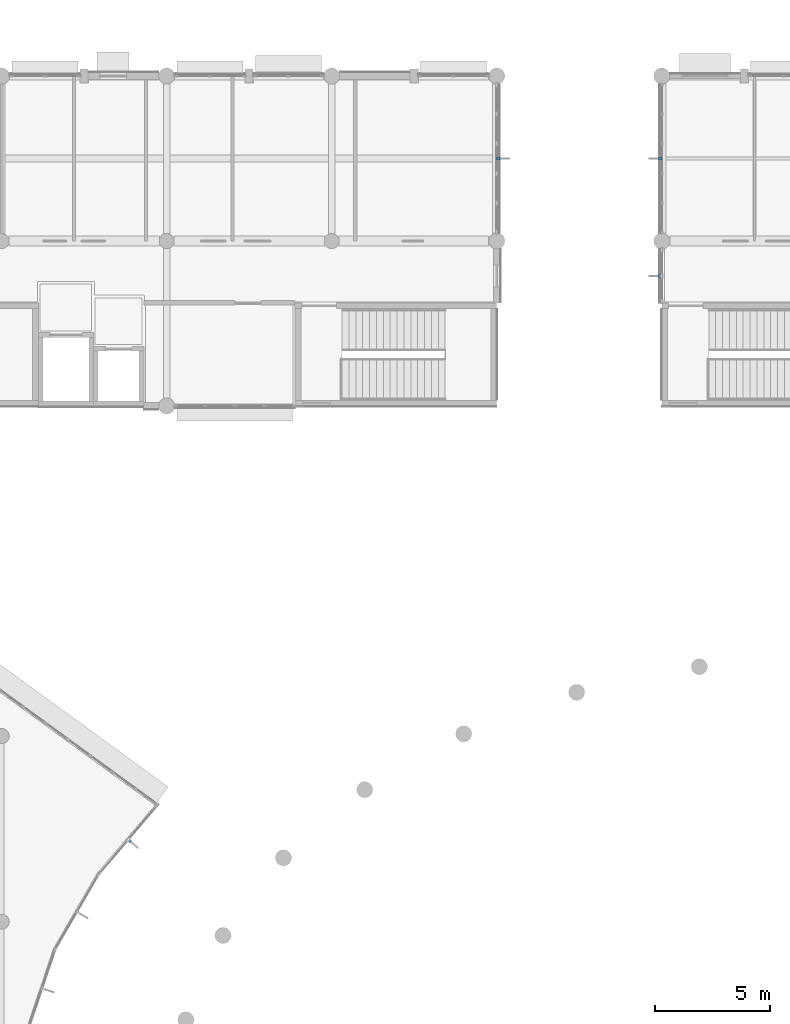
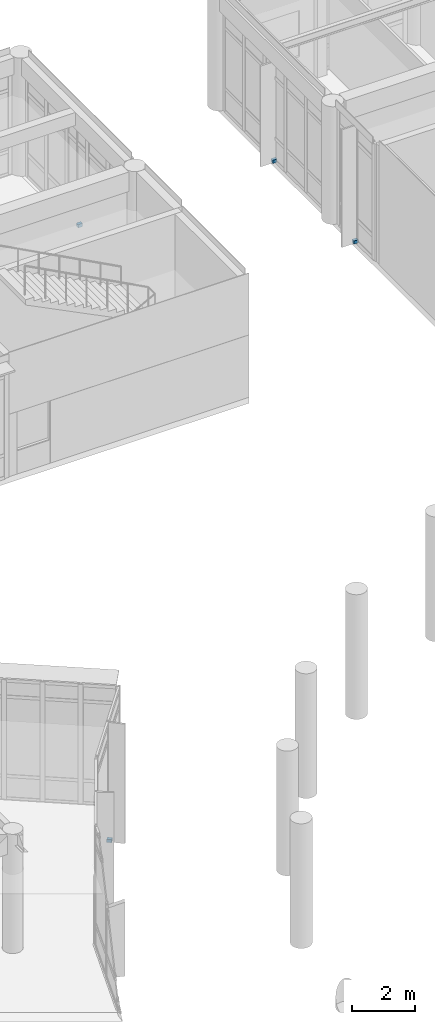
# One storey, part 61 of 92: 4 discrete accessories.
"""IFC4 building model written with IfcOpenShell, lengths in metres."""

import ifcopenshell
import ifcopenshell.guid

model = None  # the IFC model being written
_history = None  # IfcOwnerHistory: only IFC2X3 demands one
_inside = {}  # id of a spatial element -> (the spatial element, [elements in it])
_under = {}  # id of a project, library or spatial element -> (it, [spatial elements below it])
_declared = {}  # id of a project -> (the project, [libraries it declares])
_typed = {}  # id of a type object -> (the type object, [elements of that type])
_made_of = {}  # id of a material, layer set ... -> (it, [elements and type objects made of it])


def new_model(schema):
    """Start an empty IFC model of exactly this schema.

    Asked for "IFC4X3", IfcOpenShell would pick the latest addendum, in which some entities
    have other attributes; the version numbers below select the first issue.
    IFC2X3 requires an IfcOwnerHistory on every rooted entity: one is made here for all.
    """
    global model, _history
    if schema == "IFC4X3":
        model = ifcopenshell.file(schema_version=(4, 3, 0, 0))
    else:
        model = ifcopenshell.file(schema=schema)
    _inside.clear()
    _under.clear()
    _declared.clear()
    _typed.clear()
    _made_of.clear()
    _history = None
    if model.schema == "IFC2X3":
        org = make("IfcOrganization", Name="unknown")
        user = make(
            "IfcPersonAndOrganization",
            ThePerson=make("IfcPerson", FamilyName="unknown"),
            TheOrganization=org,
        )
        app = make(
            "IfcApplication",
            ApplicationDeveloper=org,
            Version="unknown",
            ApplicationFullName="unknown",
            ApplicationIdentifier="unknown",
        )
        _history = make(
            "IfcOwnerHistory",
            OwningUser=user,
            OwningApplication=app,
            ChangeAction="ADDED",
            CreationDate=0,
        )
    return model


def make(cls, **values):
    """One entity of the class cls with the attributes given. An attribute that is None is left unset."""
    return model.create_entity(
        cls, **{name: value for name, value in values.items() if value is not None}
    )


def rooted(cls, **values):
    """An entity with a GlobalId (a new one), such as an element, a storey or a relation."""
    return make(cls, GlobalId=ifcopenshell.guid.new(), OwnerHistory=_history, **values)


def si_unit(unit_type, name, prefix=None):
    """IfcSIUnit, for example si_unit("LENGTHUNIT", "METRE", prefix="MILLI")."""
    return make("IfcSIUnit", UnitType=unit_type, Prefix=prefix, Name=name)


def assignment(units):
    """IfcUnitAssignment: the units of a project."""
    return None if units is None else make("IfcUnitAssignment", Units=units)


def point(xyz):
    """IfcCartesianPoint."""
    return None if xyz is None else make("IfcCartesianPoint", Coordinates=xyz)


def direction(xyz):
    """IfcDirection."""
    return None if xyz is None else make("IfcDirection", DirectionRatios=xyz)


def frame(location, z_axis=None, x_axis=None):
    """IfcAxis2Placement3D, a coordinate frame: its origin and axes. An axis left out is left unset."""
    return make(
        "IfcAxis2Placement3D",
        Location=point(location),
        Axis=direction(z_axis),
        RefDirection=direction(x_axis),
    )


def frame_2d(location, x_axis=None):
    """IfcAxis2Placement2D, a coordinate frame in the plane: its origin and x axis."""
    return make(
        "IfcAxis2Placement2D", Location=point(location), RefDirection=direction(x_axis)
    )


def origin():
    """The frame at (0, 0, 0) with its axes left unset."""
    return frame((0.0, 0.0, 0.0))


def origin_2d():
    """The frame at (0, 0) in the plane with its x axis left unset."""
    return frame_2d((0.0, 0.0))


def place(relative_to, where):
    """IfcLocalPlacement: puts the frame where relative to a parent placement (None: the world)."""
    return make(
        "IfcLocalPlacement", PlacementRelTo=relative_to, RelativePlacement=where
    )


def context(
    kind, dimensions, precision=None, world=None, true_north=None, identifier=None
):
    """IfcGeometricRepresentationContext, for example the 3D "Model" context."""
    return make(
        "IfcGeometricRepresentationContext",
        ContextIdentifier=identifier,
        ContextType=kind,
        CoordinateSpaceDimension=dimensions,
        Precision=precision,
        WorldCoordinateSystem=world,
        TrueNorth=true_north,
    )


def subcontext(parent, identifier, kind, view, scale=None):
    """IfcGeometricRepresentationSubContext, for example "Body" below "Model"."""
    return make(
        "IfcGeometricRepresentationSubContext",
        ContextIdentifier=identifier,
        ContextType=kind,
        ParentContext=parent,
        TargetScale=scale,
        TargetView=view,
    )


def project(units=None, contexts=None):
    """IfcProject with its units and contexts."""
    return rooted(
        "IfcProject",
        Name="project",
        RepresentationContexts=contexts,
        UnitsInContext=assignment(units),
    )


def spatial(cls, under=None, at=None, **own):
    """A site, building, storey or space (cls), placed at a placement, below another one or the project."""
    s = rooted(cls, ObjectPlacement=at, **own)
    if under is not None:
        _under.setdefault(under.id(), (under, []))[1].append(s)
    return s


def profile(cls, at=None, kind="AREA", **sizes):
    """A parametric profile (cls). Its sizes go by their IFC names, for example OverallWidth=200.0."""
    return make(cls, ProfileType=kind, Position=at, **sizes)


def rectangle(**sizes):
    """IfcRectangleProfileDef."""
    return profile("IfcRectangleProfileDef", **sizes)


def extrude(swept, where, along, depth):
    """IfcExtrudedAreaSolid: the profile swept, set in the frame where, extruded along a direction by depth."""
    return make(
        "IfcExtrudedAreaSolid",
        SweptArea=swept,
        Position=where,
        ExtrudedDirection=direction(along),
        Depth=depth,
    )


def shape(context_of_items, identifier, shape_type, items):
    """IfcShapeRepresentation: the items that make up one representation, for example the "Body"."""
    return make(
        "IfcShapeRepresentation",
        ContextOfItems=context_of_items,
        RepresentationIdentifier=identifier,
        RepresentationType=shape_type,
        Items=items,
    )


def material(Name=None, Category=None):
    """IfcMaterial."""
    return make("IfcMaterial", Name=Name, Category=Category)


def made_of(thing, what):
    """Note that an element or type object is made of a material, layer set ...; save() writes the relation."""
    if what is not None:
        _made_of.setdefault(what.id(), (what, []))[1].append(thing)
    return thing


def type_object(cls, material=None, **own):
    """A type object (cls), such as IfcWallType, which elements share."""
    return made_of(rooted(cls, **own), material)


def element(
    cls,
    number,
    at=None,
    inside=None,
    cuts=None,
    type_object=None,
    material=None,
    context=None,
    identifier="Body",
    shape_type=None,
    held_by="IfcProductDefinitionShape",
    body=None,
    shapes=None,
    **own,
):
    """One element of the class cls, such as IfcWall. Its Tag is "e" and its number.

    at: its placement. inside: the storey or other place that contains it. cuts: it is an
    opening in that element (IfcRelVoidsElement). A single representation is given by context,
    identifier, shape_type and body (its items); several are given by shapes. held_by: the class
    of the entity that holds the representations. save() writes the other relations.
    """
    e = rooted(cls, Tag="e%d" % number, ObjectPlacement=at, **own)
    if body is not None:
        shapes = [shape(context, identifier, shape_type, body)]
    if shapes is not None:
        e.Representation = make(held_by, Representations=shapes)
    if inside is not None:
        _inside.setdefault(inside.id(), (inside, []))[1].append(e)
    if cuts is not None:
        rooted(
            "IfcRelVoidsElement", RelatingBuildingElement=cuts, RelatedOpeningElement=e
        )
    if type_object is not None:
        _typed.setdefault(type_object.id(), (type_object, []))[1].append(e)
    return made_of(e, material)


def aggregate(whole, parts):
    """IfcRelAggregates: a whole, such as a stair, and the parts it consists of."""
    return rooted("IfcRelAggregates", RelatingObject=whole, RelatedObjects=parts)


def save(model, path):
    """Write the relations noted so far, then the file.

    IfcRelAggregates (storeys below a building ...), IfcRelContainedInSpatialStructure (elements
    in a storey), IfcRelDefinesByType, IfcRelAssociatesMaterial and IfcRelDeclares: one each for
    every whole, place, type object, material and project.
    """
    for whole, parts in _under.values():
        aggregate(whole, parts)
    for where, things in _inside.values():
        rooted(
            "IfcRelContainedInSpatialStructure",
            RelatedElements=things,
            RelatingStructure=where,
        )
    for kind, things in _typed.values():
        rooted("IfcRelDefinesByType", RelatedObjects=things, RelatingType=kind)
    for what, things in _made_of.values():
        rooted("IfcRelAssociatesMaterial", RelatedObjects=things, RelatingMaterial=what)
    for by, libraries in _declared.values():
        rooted("IfcRelDeclares", RelatingContext=by, RelatedDefinitions=libraries)
    model.write(path)


model = new_model("IFC4")

# Units and contexts
model_context = context("Model", 3, precision=1e-05, world=origin(), true_north=direction((0.0, 1.0)))
body_context = subcontext(model_context, "Body", "Model", "MODEL_VIEW")
ifc_project = project(units=[si_unit("LENGTHUNIT", "METRE"), si_unit("AREAUNIT", "SQUARE_METRE"), si_unit("VOLUMEUNIT", "CUBIC_METRE"), si_unit("PLANEANGLEUNIT", "RADIAN"), si_unit("MASSUNIT", "GRAM", prefix="KILO")], contexts=[model_context])

# Site, building, storey
site_placement = place(None, origin())
site = spatial("IfcSite", under=ifc_project, at=site_placement, CompositionType="ELEMENT")
building_placement = place(site_placement, origin())
building = spatial("IfcBuilding", under=site, at=building_placement, Name="Namkhue Oval Health Centre", CompositionType="ELEMENT")
storey_placement = place(building_placement, frame((0.0, 0.0, 4.800048828125)))
storey = spatial("IfcBuildingStorey", under=building, at=storey_placement, Name="L01", CompositionType="ELEMENT", Elevation=4.800048828125)

# Discrete accessories
ifc_material = material(Name="Structural steel S355JR (TCVN CCT38)", Category="steel")
discrete_accessory_type = type_object("IfcDiscreteAccessoryType", Name="FACADE SHADING BRACKET", PredefinedType="BRACKET", material=ifc_material)
for number, where, z_axis, x_axis, name in (
    (1, (70.369140625, 71.03955078125, 0.0), (0.0, 0.0, 1.0), (0.760972426325, -0.648784221735, 0.0), "Solar Fin Bracket 35"),
    (2, (86.4599609375, 100.800048828125, 0.0), (0.0, 0.0, 1.0), (1.0, 0.0, 0.0), "Solar Fin Bracket 64"),
    (3, (93.5400390625, 100.800048828125, 0.0), (0.0, 0.0, 1.0), (-1.0, 0.0, 0.0), "Solar Fin Bracket 143"),
    (4, (93.5400390625, 95.678466796875, 0.0), (0.0, 0.0, 1.0), (-1.0, 0.0, 0.0), "Solar Fin Bracket 144"),
):
    element("IfcDiscreteAccessory", number, at=place(storey_placement, frame(where, z_axis=z_axis, x_axis=x_axis)), inside=storey, type_object=discrete_accessory_type, Name=name, PredefinedType="BRACKET", context=body_context, shape_type="SweptSolid", body=[
        extrude(rectangle(XDim=0.159912109375, YDim=0.1201171875, at=origin_2d()), origin(), (0.0, 0.0, 1.0), 0.1201171875),
    ])

save(model, "model.ifc")
